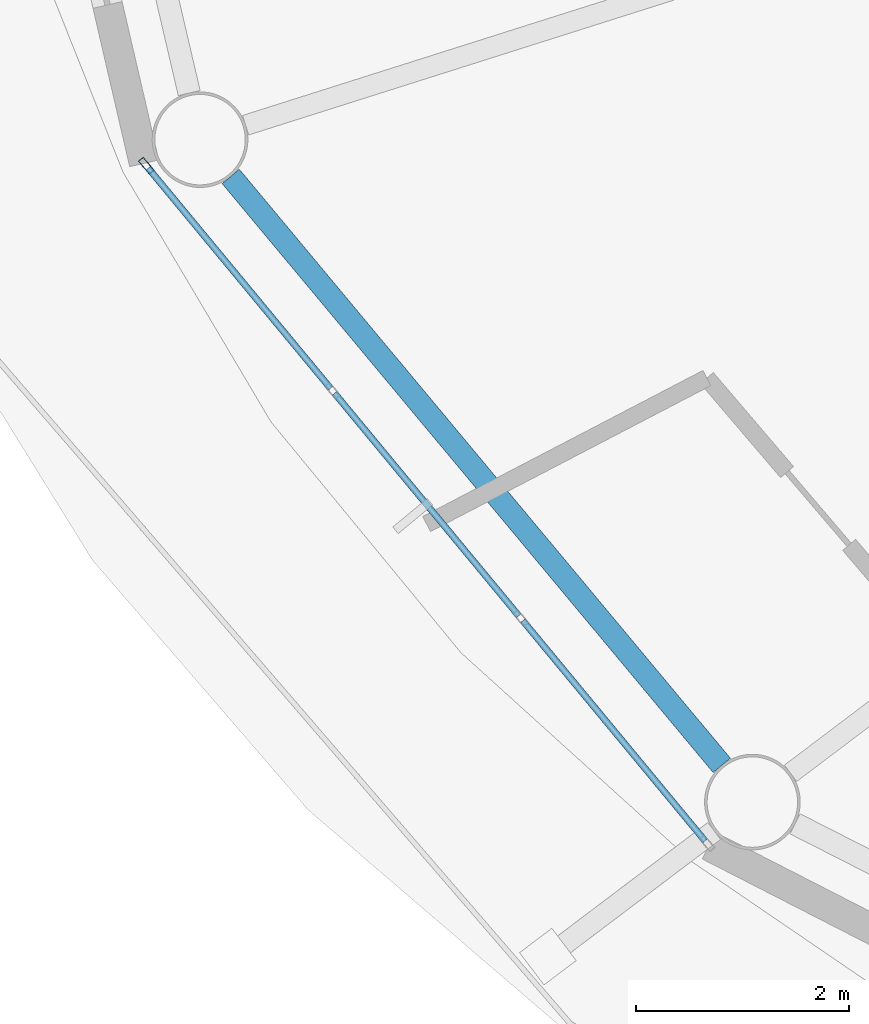
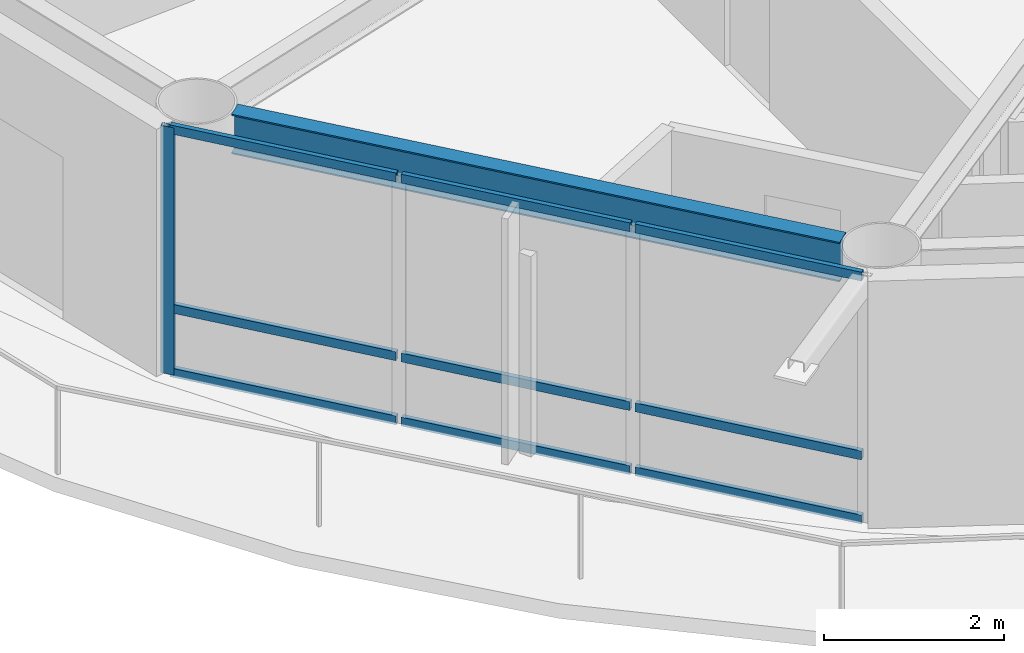
# One storey, part 3 of 23: 10 members, 1 beam, 1 element without a shape of its own.
"""IFC4 building model written with IfcOpenShell, lengths in metres."""

from ifc_helpers import new_model, si_unit, direction, frame, origin, origin_2d, place, context, subcontext, project, spatial, hollow_rectangle, i_section, extrude, material, layer, layer_set, material_profile, profile_set, type_object, element, aggregate, save


model = new_model("IFC4")

# Units and contexts
model_context = context("Model", 3, precision=1e-05, world=origin(), true_north=direction((0.0, 1.0)))
body_context = subcontext(model_context, "Body", "Model", "MODEL_VIEW")
ifc_project = project(units=[si_unit("LENGTHUNIT", "METRE"), si_unit("AREAUNIT", "SQUARE_METRE"), si_unit("VOLUMEUNIT", "CUBIC_METRE"), si_unit("PLANEANGLEUNIT", "RADIAN"), si_unit("MASSUNIT", "GRAM", prefix="KILO")], contexts=[model_context])

# Site, building, storey
site_placement = place(None, origin())
site = spatial("IfcSite", under=ifc_project, at=site_placement, CompositionType="ELEMENT")
building_placement = place(site_placement, origin())
building = spatial("IfcBuilding", under=site, at=building_placement, Name="Sarneth Arch Tower", CompositionType="ELEMENT")
storey_placement = place(building_placement, frame((0.0, 0.0, 217.199951171875)))
storey = spatial("IfcBuildingStorey", under=building, at=storey_placement, Name="L55", CompositionType="ELEMENT", Elevation=217.199951171875)

# Beam
ifc_material_1 = material(Name="Steel S355", Category="steel")
ifc_material_profile_1 = material_profile(ifc_material_1, i_section(OverallWidth=0.2109375, OverallDepth=0.5390625, WebThickness=0.01171875, FlangeThickness=0.018798828125, FilletRadius=0.01806640625, at=origin_2d()), Name="W530x109")
ifc_profile_set_1 = profile_set([ifc_material_profile_1], Name="Steel S355")
beam_type = type_object("IfcBeamType", Name="BM-RAD-530B", PredefinedType="BEAM", material=ifc_profile_set_1)
beam_placement = place(storey_placement, frame((25.119384765625, 34.306884765625, 3.090576171875), z_axis=(0.640390876881, -0.768049168222, 0.0), x_axis=(0.768049168222, 0.640390876881, 0.0)))
element("IfcBeam", 1, at=beam_placement, inside=storey, type_object=beam_type, Name="L55 Perimeter spandrel beam 10", PredefinedType="BEAM", context=body_context, shape_type="SweptSolid", body=[
    extrude(i_section(OverallWidth=0.2109375, OverallDepth=0.5390625, WebThickness=0.01171875, FlangeThickness=0.018798828125, FilletRadius=0.01806640625, at=origin_2d()), origin(), (0.0, 0.0, 1.0), 7.2099609375),
])

# Curtain wall, members
ifc_material_2 = material(Name="Anodised aluminium Type AA25 and solar-control low-e laminated IGU", Category="aluminium")
ifc_layer = layer(ifc_material_2, 0.179931640625)
ifc_layer_set = layer_set([ifc_layer], Name="Anodised aluminium Type AA25 and solar-control low-e laminated IGU")
curtain_wall_type = type_object("IfcCurtainWallType", Name="CW-RES-HIGH", PredefinedType="NOTDEFINED", material=ifc_layer_set)
curtain_wall_placement = place(storey_placement, origin())
curtain_wall = element("IfcCurtainWall", 2, at=curtain_wall_placement, inside=storey, type_object=curtain_wall_type, Name="L55 Unitised curtain wall facet 10", PredefinedType="NOTDEFINED")
ifc_material_3 = material(Name="Anodised Aluminium 6063-T6", Category="aluminium")
ifc_material_profile_2 = material_profile(ifc_material_3, hollow_rectangle(XDim=0.06005859375, YDim=0.159912109375, WallThickness=0.00390625, at=origin_2d()), Name="AL-MULL-160x60x4")
ifc_profile_set_2 = profile_set([ifc_material_profile_2], Name="Anodised Aluminium 6063-T6")
member_type_1 = type_object("IfcMemberType", Name="CW-MULLION", PredefinedType="MULLION", material=ifc_profile_set_2)
member_1_placement = place(storey_placement, frame((24.325439453125, 34.407470703125, 0.0), z_axis=(0.0, 0.0, 1.0), x_axis=(0.770359245933, 0.637610094184, 0.0)))
member_1 = element("IfcMember", 3, at=member_1_placement, type_object=member_type_1, Name="CW-SYS-6 mullion 1", PredefinedType="MULLION", context=body_context, shape_type="SweptSolid", body=[
    extrude(hollow_rectangle(XDim=0.06005859375, YDim=0.159912109375, WallThickness=0.00390625, at=origin_2d()), origin(), (0.0, 0.0, 1.0), 3.360107421875),
])
ifc_material_4 = material(Name="Anodised Aluminium 6063-T6", Category="aluminium")
ifc_material_profile_3 = material_profile(ifc_material_4, hollow_rectangle(XDim=0.06005859375, YDim=0.1201171875, WallThickness=0.00390625, at=origin_2d()), Name="AL-TRAN-120x60x4")
ifc_profile_set_3 = profile_set([ifc_material_profile_3], Name="Anodised Aluminium 6063-T6")
member_type_2 = type_object("IfcMemberType", Name="CW-TRANSOM", PredefinedType="USERDEFINED", material=ifc_profile_set_3)
member_2_placement = place(storey_placement, frame((24.344482421875, 34.38427734375, 0.030029296875), z_axis=(0.637651400067, -0.770325056059, 0.0), x_axis=(0.770325056059, 0.637651400067, 0.0)))
member_2 = element("IfcMember", 4, at=member_2_placement, type_object=member_type_2, Name="CW-SYS-6 transom 1.1", ObjectType="TRANSOM", PredefinedType="USERDEFINED", context=body_context, shape_type="SweptSolid", body=[
    extrude(hollow_rectangle(XDim=0.06005859375, YDim=0.1201171875, WallThickness=0.00390625, at=origin_2d()), origin(), (0.0, 0.0, 1.0), 2.6865234375),
])
member_3_placement = place(storey_placement, frame((24.344482421875, 34.38427734375, 0.900146484375), z_axis=(0.637651400067, -0.770325056059, 0.0), x_axis=(0.770325056059, 0.637651400067, 0.0)))
member_3 = element("IfcMember", 5, at=member_3_placement, type_object=member_type_2, Name="CW-SYS-6 transom 1.2", ObjectType="TRANSOM", PredefinedType="USERDEFINED", context=body_context, shape_type="SweptSolid", body=[
    extrude(hollow_rectangle(XDim=0.06005859375, YDim=0.1201171875, WallThickness=0.00390625, at=origin_2d()), origin(), (0.0, 0.0, 1.0), 2.6865234375),
])
member_4_placement = place(storey_placement, frame((24.344482421875, 34.38427734375, 3.330078125), z_axis=(0.637651400067, -0.770325056059, 0.0), x_axis=(0.770325056059, 0.637651400067, 0.0)))
member_4 = element("IfcMember", 6, at=member_4_placement, type_object=member_type_2, Name="CW-SYS-6 transom 1.3", ObjectType="TRANSOM", PredefinedType="USERDEFINED", context=body_context, shape_type="SweptSolid", body=[
    extrude(hollow_rectangle(XDim=0.06005859375, YDim=0.1201171875, WallThickness=0.00390625, at=origin_2d()), origin(), (0.0, 0.0, 1.0), 2.6865234375),
])
member_5_placement = place(storey_placement, frame((26.095703125, 32.268310546875, 0.030029296875), z_axis=(0.637617371902, -0.770353222261, 0.0), x_axis=(0.770353222261, 0.637617371902, 0.0)))
member_5 = element("IfcMember", 7, at=member_5_placement, type_object=member_type_2, Name="CW-SYS-6 transom 2.1", ObjectType="TRANSOM", PredefinedType="USERDEFINED", context=body_context, shape_type="SweptSolid", body=[
    extrude(hollow_rectangle(XDim=0.06005859375, YDim=0.1201171875, WallThickness=0.00390625, at=origin_2d()), origin(), (0.0, 0.0, 1.0), 2.716552734375),
])
member_6_placement = place(storey_placement, frame((26.095703125, 32.268310546875, 0.900146484375), z_axis=(0.637617371902, -0.770353222261, 0.0), x_axis=(0.770353222261, 0.637617371902, 0.0)))
member_6 = element("IfcMember", 8, at=member_6_placement, type_object=member_type_2, Name="CW-SYS-6 transom 2.2", ObjectType="TRANSOM", PredefinedType="USERDEFINED", context=body_context, shape_type="SweptSolid", body=[
    extrude(hollow_rectangle(XDim=0.06005859375, YDim=0.1201171875, WallThickness=0.00390625, at=origin_2d()), origin(), (0.0, 0.0, 1.0), 2.716552734375),
])
member_7_placement = place(storey_placement, frame((26.095703125, 32.268310546875, 3.330078125), z_axis=(0.637617371902, -0.770353222261, 0.0), x_axis=(0.770353222261, 0.637617371902, 0.0)))
member_7 = element("IfcMember", 9, at=member_7_placement, type_object=member_type_2, Name="CW-SYS-6 transom 2.3", ObjectType="TRANSOM", PredefinedType="USERDEFINED", context=body_context, shape_type="SweptSolid", body=[
    extrude(hollow_rectangle(XDim=0.06005859375, YDim=0.1201171875, WallThickness=0.00390625, at=origin_2d()), origin(), (0.0, 0.0, 1.0), 2.716552734375),
])
member_8_placement = place(storey_placement, frame((27.8662109375, 30.12939453125, 0.030029296875), z_axis=(0.637606765719, -0.770362000821, 0.0), x_axis=(0.770362000821, 0.637606765719, 0.0)))
member_8 = element("IfcMember", 10, at=member_8_placement, type_object=member_type_2, Name="CW-SYS-6 transom 3.1", ObjectType="TRANSOM", PredefinedType="USERDEFINED", context=body_context, shape_type="SweptSolid", body=[
    extrude(hollow_rectangle(XDim=0.06005859375, YDim=0.1201171875, WallThickness=0.00390625, at=origin_2d()), origin(), (0.0, 0.0, 1.0), 2.686767578125),
])
member_9_placement = place(storey_placement, frame((27.8662109375, 30.12939453125, 0.900146484375), z_axis=(0.637606765719, -0.770362000821, 0.0), x_axis=(0.770362000821, 0.637606765719, 0.0)))
member_9 = element("IfcMember", 11, at=member_9_placement, type_object=member_type_2, Name="CW-SYS-6 transom 3.2", ObjectType="TRANSOM", PredefinedType="USERDEFINED", context=body_context, shape_type="SweptSolid", body=[
    extrude(hollow_rectangle(XDim=0.06005859375, YDim=0.1201171875, WallThickness=0.00390625, at=origin_2d()), origin(), (0.0, 0.0, 1.0), 2.686767578125),
])
member_10_placement = place(storey_placement, frame((27.8662109375, 30.12939453125, 3.330078125), z_axis=(0.637606765719, -0.770362000821, 0.0), x_axis=(0.770362000821, 0.637606765719, 0.0)))
member_10 = element("IfcMember", 12, at=member_10_placement, type_object=member_type_2, Name="CW-SYS-6 transom 3.3", ObjectType="TRANSOM", PredefinedType="USERDEFINED", context=body_context, shape_type="SweptSolid", body=[
    extrude(hollow_rectangle(XDim=0.06005859375, YDim=0.1201171875, WallThickness=0.00390625, at=origin_2d()), origin(), (0.0, 0.0, 1.0), 2.686767578125),
])
aggregate(curtain_wall, [member_1, member_2, member_3, member_4, member_5, member_6, member_7, member_8, member_9, member_10])

save(model, "model.ifc")
